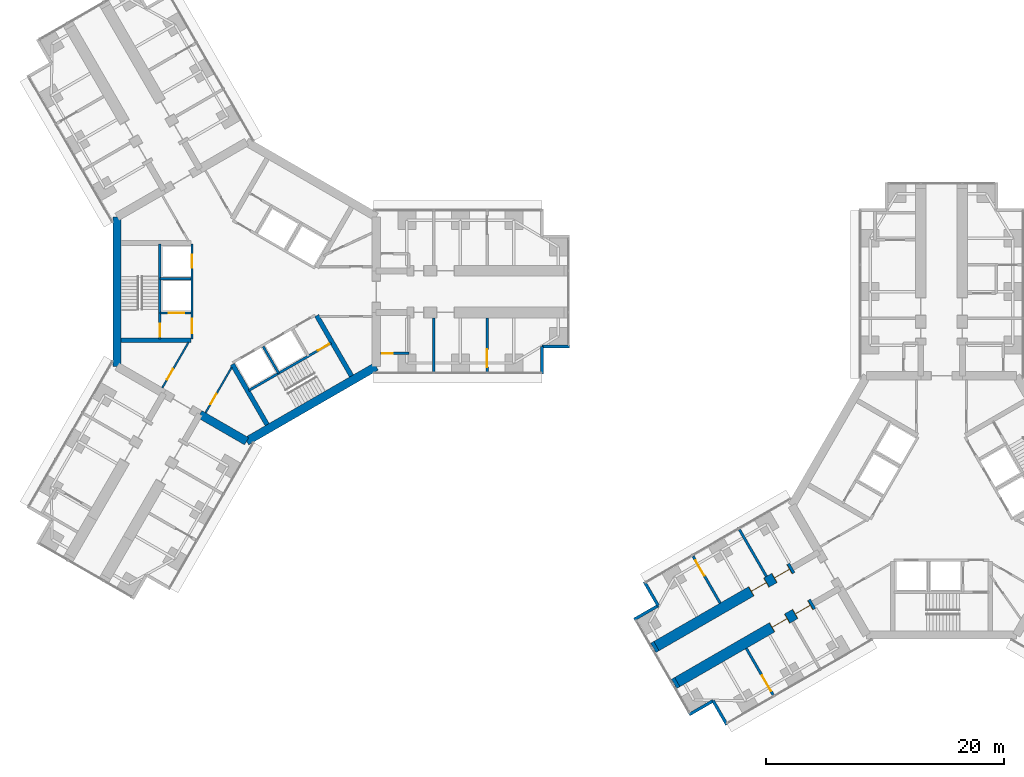
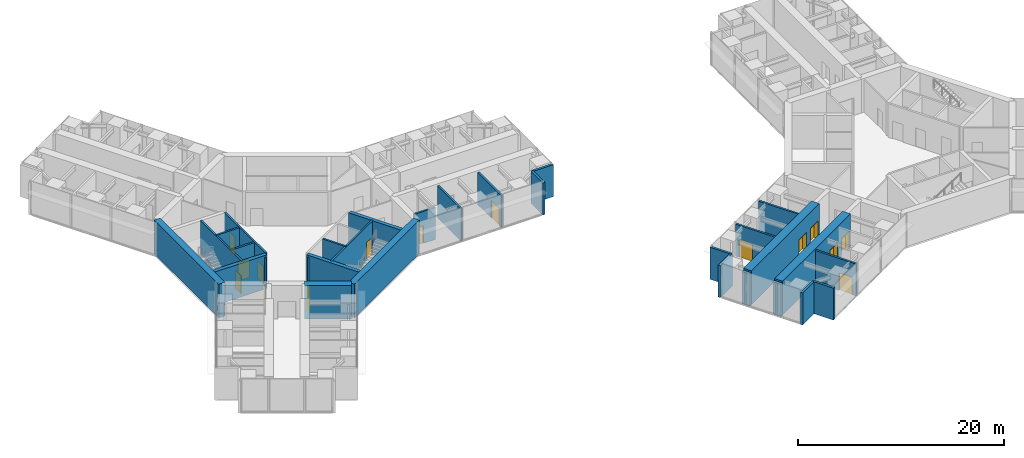
# One storey, part 16 of 22: 30 walls, 15 doors, 15 openings.
"""IFC4 building model written with IfcOpenShell, lengths in metres."""

import ifcopenshell
import ifcopenshell.guid

model = None  # the IFC model being written
_history = None  # IfcOwnerHistory: only IFC2X3 demands one
_inside = {}  # id of a spatial element -> (the spatial element, [elements in it])
_under = {}  # id of a project, library or spatial element -> (it, [spatial elements below it])
_declared = {}  # id of a project -> (the project, [libraries it declares])
_typed = {}  # id of a type object -> (the type object, [elements of that type])
_made_of = {}  # id of a material, layer set ... -> (it, [elements and type objects made of it])


def new_model(schema):
    """Start an empty IFC model of exactly this schema.

    Asked for "IFC4X3", IfcOpenShell would pick the latest addendum, in which some entities
    have other attributes; the version numbers below select the first issue.
    IFC2X3 requires an IfcOwnerHistory on every rooted entity: one is made here for all.
    """
    global model, _history
    if schema == "IFC4X3":
        model = ifcopenshell.file(schema_version=(4, 3, 0, 0))
    else:
        model = ifcopenshell.file(schema=schema)
    _inside.clear()
    _under.clear()
    _declared.clear()
    _typed.clear()
    _made_of.clear()
    _history = None
    if model.schema == "IFC2X3":
        org = make("IfcOrganization", Name="unknown")
        user = make(
            "IfcPersonAndOrganization",
            ThePerson=make("IfcPerson", FamilyName="unknown"),
            TheOrganization=org,
        )
        app = make(
            "IfcApplication",
            ApplicationDeveloper=org,
            Version="unknown",
            ApplicationFullName="unknown",
            ApplicationIdentifier="unknown",
        )
        _history = make(
            "IfcOwnerHistory",
            OwningUser=user,
            OwningApplication=app,
            ChangeAction="ADDED",
            CreationDate=0,
        )
    return model


def make(cls, **values):
    """One entity of the class cls with the attributes given. An attribute that is None is left unset."""
    return model.create_entity(
        cls, **{name: value for name, value in values.items() if value is not None}
    )


def rooted(cls, **values):
    """An entity with a GlobalId (a new one), such as an element, a storey or a relation."""
    return make(cls, GlobalId=ifcopenshell.guid.new(), OwnerHistory=_history, **values)


def si_unit(unit_type, name, prefix=None):
    """IfcSIUnit, for example si_unit("LENGTHUNIT", "METRE", prefix="MILLI")."""
    return make("IfcSIUnit", UnitType=unit_type, Prefix=prefix, Name=name)


def assignment(units):
    """IfcUnitAssignment: the units of a project."""
    return None if units is None else make("IfcUnitAssignment", Units=units)


def point(xyz):
    """IfcCartesianPoint."""
    return None if xyz is None else make("IfcCartesianPoint", Coordinates=xyz)


def direction(xyz):
    """IfcDirection."""
    return None if xyz is None else make("IfcDirection", DirectionRatios=xyz)


def frame(location, z_axis=None, x_axis=None):
    """IfcAxis2Placement3D, a coordinate frame: its origin and axes. An axis left out is left unset."""
    return make(
        "IfcAxis2Placement3D",
        Location=point(location),
        Axis=direction(z_axis),
        RefDirection=direction(x_axis),
    )


def frame_2d(location, x_axis=None):
    """IfcAxis2Placement2D, a coordinate frame in the plane: its origin and x axis."""
    return make(
        "IfcAxis2Placement2D", Location=point(location), RefDirection=direction(x_axis)
    )


def origin():
    """The frame at (0, 0, 0) with its axes left unset."""
    return frame((0.0, 0.0, 0.0))


def place(relative_to, where):
    """IfcLocalPlacement: puts the frame where relative to a parent placement (None: the world)."""
    return make(
        "IfcLocalPlacement", PlacementRelTo=relative_to, RelativePlacement=where
    )


def context(
    kind, dimensions, precision=None, world=None, true_north=None, identifier=None
):
    """IfcGeometricRepresentationContext, for example the 3D "Model" context."""
    return make(
        "IfcGeometricRepresentationContext",
        ContextIdentifier=identifier,
        ContextType=kind,
        CoordinateSpaceDimension=dimensions,
        Precision=precision,
        WorldCoordinateSystem=world,
        TrueNorth=true_north,
    )


def subcontext(parent, identifier, kind, view, scale=None):
    """IfcGeometricRepresentationSubContext, for example "Body" below "Model"."""
    return make(
        "IfcGeometricRepresentationSubContext",
        ContextIdentifier=identifier,
        ContextType=kind,
        ParentContext=parent,
        TargetScale=scale,
        TargetView=view,
    )


def project(units=None, contexts=None):
    """IfcProject with its units and contexts."""
    return rooted(
        "IfcProject",
        Name="project",
        RepresentationContexts=contexts,
        UnitsInContext=assignment(units),
    )


def spatial(cls, under=None, at=None, **own):
    """A site, building, storey or space (cls), placed at a placement, below another one or the project."""
    s = rooted(cls, ObjectPlacement=at, **own)
    if under is not None:
        _under.setdefault(under.id(), (under, []))[1].append(s)
    return s


def profile(cls, at=None, kind="AREA", **sizes):
    """A parametric profile (cls). Its sizes go by their IFC names, for example OverallWidth=200.0."""
    return make(cls, ProfileType=kind, Position=at, **sizes)


def rectangle(**sizes):
    """IfcRectangleProfileDef."""
    return profile("IfcRectangleProfileDef", **sizes)


def extrude(swept, where, along, depth):
    """IfcExtrudedAreaSolid: the profile swept, set in the frame where, extruded along a direction by depth."""
    return make(
        "IfcExtrudedAreaSolid",
        SweptArea=swept,
        Position=where,
        ExtrudedDirection=direction(along),
        Depth=depth,
    )


def shape(context_of_items, identifier, shape_type, items):
    """IfcShapeRepresentation: the items that make up one representation, for example the "Body"."""
    return make(
        "IfcShapeRepresentation",
        ContextOfItems=context_of_items,
        RepresentationIdentifier=identifier,
        RepresentationType=shape_type,
        Items=items,
    )


def material(Name=None, Category=None):
    """IfcMaterial."""
    return make("IfcMaterial", Name=Name, Category=Category)


def layer(
    of_material, thickness, ventilated=None, Name=None, Category=None, Priority=None
):
    """IfcMaterialLayer: one layer of a wall or slab, of a material (None: an air gap)."""
    return make(
        "IfcMaterialLayer",
        Material=of_material,
        LayerThickness=thickness,
        IsVentilated=ventilated,
        Name=Name,
        Category=Category,
        Priority=Priority,
    )


def layer_set(layers, Name=None):
    """IfcMaterialLayerSet."""
    return make("IfcMaterialLayerSet", MaterialLayers=layers, LayerSetName=Name)


def made_of(thing, what):
    """Note that an element or type object is made of a material, layer set ...; save() writes the relation."""
    if what is not None:
        _made_of.setdefault(what.id(), (what, []))[1].append(thing)
    return thing


def type_object(cls, material=None, **own):
    """A type object (cls), such as IfcWallType, which elements share."""
    return made_of(rooted(cls, **own), material)


def element(
    cls,
    number,
    at=None,
    inside=None,
    cuts=None,
    type_object=None,
    material=None,
    context=None,
    identifier="Body",
    shape_type=None,
    held_by="IfcProductDefinitionShape",
    body=None,
    shapes=None,
    **own,
):
    """One element of the class cls, such as IfcWall. Its Tag is "e" and its number.

    at: its placement. inside: the storey or other place that contains it. cuts: it is an
    opening in that element (IfcRelVoidsElement). A single representation is given by context,
    identifier, shape_type and body (its items); several are given by shapes. held_by: the class
    of the entity that holds the representations. save() writes the other relations.
    """
    e = rooted(cls, Tag="e%d" % number, ObjectPlacement=at, **own)
    if body is not None:
        shapes = [shape(context, identifier, shape_type, body)]
    if shapes is not None:
        e.Representation = make(held_by, Representations=shapes)
    if inside is not None:
        _inside.setdefault(inside.id(), (inside, []))[1].append(e)
    if cuts is not None:
        rooted(
            "IfcRelVoidsElement", RelatingBuildingElement=cuts, RelatedOpeningElement=e
        )
    if type_object is not None:
        _typed.setdefault(type_object.id(), (type_object, []))[1].append(e)
    return made_of(e, material)


def fill(opening, filler):
    """IfcRelFillsElement: the door or window that sits in an opening."""
    return rooted(
        "IfcRelFillsElement",
        RelatingOpeningElement=opening,
        RelatedBuildingElement=filler,
    )


def aggregate(whole, parts):
    """IfcRelAggregates: a whole, such as a stair, and the parts it consists of."""
    return rooted("IfcRelAggregates", RelatingObject=whole, RelatedObjects=parts)


def save(model, path):
    """Write the relations noted so far, then the file.

    IfcRelAggregates (storeys below a building ...), IfcRelContainedInSpatialStructure (elements
    in a storey), IfcRelDefinesByType, IfcRelAssociatesMaterial and IfcRelDeclares: one each for
    every whole, place, type object, material and project.
    """
    for whole, parts in _under.values():
        aggregate(whole, parts)
    for where, things in _inside.values():
        rooted(
            "IfcRelContainedInSpatialStructure",
            RelatedElements=things,
            RelatingStructure=where,
        )
    for kind, things in _typed.values():
        rooted("IfcRelDefinesByType", RelatedObjects=things, RelatingType=kind)
    for what, things in _made_of.values():
        rooted("IfcRelAssociatesMaterial", RelatedObjects=things, RelatingMaterial=what)
    for by, libraries in _declared.values():
        rooted("IfcRelDeclares", RelatingContext=by, RelatedDefinitions=libraries)
    model.write(path)


model = new_model("IFC4")

# Units and contexts
model_context = context("Model", 3, precision=1e-05, world=origin(), true_north=direction((0.0, 1.0)))
body_context = subcontext(model_context, "Body", "Model", "MODEL_VIEW")
ifc_project = project(units=[si_unit("LENGTHUNIT", "METRE"), si_unit("AREAUNIT", "SQUARE_METRE"), si_unit("VOLUMEUNIT", "CUBIC_METRE"), si_unit("PLANEANGLEUNIT", "RADIAN"), si_unit("MASSUNIT", "GRAM", prefix="KILO")], contexts=[model_context])

# Site, building, storey
site_placement = place(None, origin())
site = spatial("IfcSite", under=ifc_project, at=site_placement, CompositionType="ELEMENT")
building_placement = place(site_placement, origin())
building = spatial("IfcBuilding", under=site, at=building_placement, Name="Upepo Twin Towers", CompositionType="ELEMENT")
storey_placement = place(building_placement, frame((0.0, 0.0, 44.5)))
storey = spatial("IfcBuildingStorey", under=building, at=storey_placement, Name="L10", CompositionType="ELEMENT", Elevation=44.5)

# Wall
ifc_material_1 = material(Name="Concrete blockwork, plastered both faces", Category="masonry")
ifc_layer_1 = layer(ifc_material_1, 0.215087890625)
ifc_layer_set_1 = layer_set([ifc_layer_1], Name="Blockwork partition 215")
wall_type_1 = type_object("IfcWallType", Name="Blockwork partition 215", PredefinedType="PARTITIONING", material=ifc_layer_set_1)
wall_1_placement = place(storey_placement, frame((15.75, -2.199951171875, 0.0), z_axis=(0.0, 0.0, 1.0), x_axis=(0.0, -1.0, 0.0)))
element("IfcWall", 1, at=wall_1_placement, inside=storey, type_object=wall_type_1, Name="T1 partition AR at 15.75", PredefinedType="PARTITIONING", context=body_context, shape_type="SweptSolid", body=[
    extrude(rectangle(XDim=4.550048828125, YDim=0.215087890625, at=frame_2d((2.27490234375, 0.0))), origin(), (0.0, 0.0, 1.0), 3.800048828125),
])

# Wall, opening, door
wall_2_placement = place(storey_placement, frame((20.25, -2.199951171875, 0.0), z_axis=(0.0, 0.0, 1.0), x_axis=(0.0, -1.0, 0.0)))
wall_2 = element("IfcWall", 2, at=wall_2_placement, inside=storey, type_object=wall_type_1, Name="T1 partition AR at 20.25", PredefinedType="PARTITIONING", context=body_context, shape_type="SweptSolid", body=[
    extrude(rectangle(XDim=4.550048828125, YDim=0.215087890625, at=frame_2d((2.27490234375, 0.0))), origin(), (0.0, 0.0, 1.0), 3.800048828125),
])
opening_1_placement = place(wall_2_placement, frame((2.64990234375, 0.0, 0.0)))
opening_1 = element("IfcOpeningElement", 3, at=opening_1_placement, cuts=wall_2, Name="Opening D13", PredefinedType="OPENING", context=body_context, shape_type="SweptSolid", body=[
    extrude(rectangle(XDim=1.5, YDim=2.10009765625, at=frame_2d((0.75, 1.050048828125))), frame((0.0, 0.117431640625, 0.0), z_axis=(0.0, -1.0, 0.0), x_axis=(1.0, 0.0, 0.0)), (0.0, 0.0, 1.0), 0.235107421875),
])
ifc_material_2 = material(Name="Timber doorset", Category="wood")
door_type_1 = type_object("IfcDoorType", Name="Double door 1500 FD30", OperationType="DOUBLE_DOOR_SINGLE_SWING", PredefinedType="DOOR", material=ifc_material_2)
door_1_placement = place(opening_1_placement, origin())
door_1 = element("IfcDoor", 4, at=door_1_placement, inside=storey, type_object=door_type_1, Name="T1 L10 connecting door", OperationType="DOUBLE_DOOR_SINGLE_SWING", OverallHeight=2.10009765625, OverallWidth=1.5, PredefinedType="DOOR", context=body_context, shape_type="SweptSolid", body=[
    extrude(rectangle(XDim=1.5, YDim=2.10009765625, at=frame_2d((0.75, 1.050048828125))), frame((0.0, 0.02490234375, 0.0), z_axis=(0.0, -1.0, 0.0), x_axis=(1.0, 0.0, 0.0)), (0.0, 0.0, 1.0), 0.050048828125),
])
fill(opening_1, door_1)

wall_3_placement = place(storey_placement, frame((11.258056640625, -5.199951171875, 0.0), z_axis=(0.0, 0.0, 1.0), x_axis=(1.0, 0.0, 0.0)))
wall_3 = element("IfcWall", 5, at=wall_3_placement, inside=storey, type_object=wall_type_1, Name="T1 WC bay partition AR at 11.26", PredefinedType="PARTITIONING", context=body_context, shape_type="SweptSolid", body=[
    extrude(rectangle(XDim=2.39990234375, YDim=0.215087890625, at=frame_2d((1.199951171875, 0.0))), origin(), (0.0, 0.0, 1.0), 3.800048828125),
])
opening_2_placement = place(wall_3_placement, frame((0.14990234375, 0.0, 0.0)))
opening_2 = element("IfcOpeningElement", 6, at=opening_2_placement, cuts=wall_3, Name="Opening D14", PredefinedType="OPENING", context=body_context, shape_type="SweptSolid", body=[
    extrude(rectangle(XDim=0.89990234375, YDim=2.10009765625, at=frame_2d((0.449951171875, 1.050048828125))), frame((0.0, 0.117431640625, 0.0), z_axis=(0.0, -1.0, 0.0), x_axis=(1.0, 0.0, 0.0)), (0.0, 0.0, 1.0), 0.235107421875),
])
ifc_material_3 = material(Name="Timber doorset", Category="wood")
door_type_2 = type_object("IfcDoorType", Name="Office door 900 FD30", OperationType="SINGLE_SWING_LEFT", PredefinedType="DOOR", material=ifc_material_3)
door_2_placement = place(opening_2_placement, origin())
door_2 = element("IfcDoor", 7, at=door_2_placement, inside=storey, type_object=door_type_2, Name="T1 L10 WC bay inner room door", OperationType="SINGLE_SWING_LEFT", OverallHeight=2.10009765625, OverallWidth=0.89990234375, PredefinedType="DOOR", context=body_context, shape_type="SweptSolid", body=[
    extrude(rectangle(XDim=0.89990234375, YDim=2.10009765625, at=frame_2d((0.449951171875, 1.050048828125))), frame((0.0, 0.02490234375, 0.0), z_axis=(0.0, -1.0, 0.0), x_axis=(1.0, 0.0, 0.0)), (0.0, 0.0, 1.0), 0.050048828125),
])
fill(opening_2, door_2)

wall_4_placement = place(storey_placement, frame((42.06298828125, -30.0302734375, 0.0), z_axis=(0.0, 0.0, 1.0), x_axis=(0.499982560684, -0.866035472144, 0.0)))
wall_4 = element("IfcWall", 8, at=wall_4_placement, inside=storey, type_object=wall_type_1, Name="T2 partition BL at 20.25", PredefinedType="PARTITIONING", context=body_context, shape_type="SweptSolid", body=[
    extrude(rectangle(XDim=4.550048828125, YDim=0.215087890625, at=frame_2d((2.27490234375, 0.0))), origin(), (0.0, 0.0, 1.0), 3.800048828125),
])
opening_3_placement = place(wall_4_placement, frame((2.64990234375, 0.0, 0.0)))
opening_3 = element("IfcOpeningElement", 9, at=opening_3_placement, cuts=wall_4, Name="Opening D13", PredefinedType="OPENING", context=body_context, shape_type="SweptSolid", body=[
    extrude(rectangle(XDim=1.5, YDim=2.10009765625, at=frame_2d((0.75, 1.050048828125))), frame((0.0, 0.117431640625, 0.0), z_axis=(0.0, -1.0, 0.0), x_axis=(1.0, 0.0, 0.0)), (0.0, 0.0, 1.0), 0.235107421875),
])
door_3_placement = place(opening_3_placement, origin())
door_3 = element("IfcDoor", 10, at=door_3_placement, inside=storey, type_object=door_type_1, Name="T2 L10 connecting door", OperationType="DOUBLE_DOOR_SINGLE_SWING", OverallHeight=2.10009765625, OverallWidth=1.5, PredefinedType="DOOR", context=body_context, shape_type="SweptSolid", body=[
    extrude(rectangle(XDim=1.5, YDim=2.10009765625, at=frame_2d((0.75, 1.050048828125))), frame((0.0, 0.02490234375, 0.0), z_axis=(0.0, -1.0, 0.0), x_axis=(1.0, 0.0, 0.0)), (0.0, 0.0, 1.0), 0.050048828125),
])
fill(opening_3, door_3)

# Wall
wall_5_placement = place(storey_placement, frame((43.760009765625, -23.9697265625, 0.0), z_axis=(0.0, 0.0, 1.0), x_axis=(-0.499982560684, 0.866035472144, 0.0)))
element("IfcWall", 11, at=wall_5_placement, inside=storey, type_object=wall_type_1, Name="T2 partition BR at 15.75", PredefinedType="PARTITIONING", context=body_context, shape_type="SweptSolid", body=[
    extrude(rectangle(XDim=4.550048828125, YDim=0.215087890625, at=frame_2d((2.27490234375, 0.0))), origin(), (0.0, 0.0, 1.0), 3.800048828125),
])

# Wall, opening, door
wall_6_placement = place(storey_placement, frame((39.863037109375, -26.2197265625, 0.0), z_axis=(0.0, 0.0, 1.0), x_axis=(-0.500022803284, 0.866012237902, 0.0)))
wall_6 = element("IfcWall", 12, at=wall_6_placement, inside=storey, type_object=wall_type_1, Name="T2 partition BR at 20.25", PredefinedType="PARTITIONING", context=body_context, shape_type="SweptSolid", body=[
    extrude(rectangle(XDim=4.550048828125, YDim=0.215087890625, at=frame_2d((2.27490234375, 0.0))), origin(), (0.0, 0.0, 1.0), 3.800048828125),
])
opening_4_placement = place(wall_6_placement, frame((2.64990234375, 0.0, 0.0)))
opening_4 = element("IfcOpeningElement", 13, at=opening_4_placement, cuts=wall_6, Name="Opening D13", PredefinedType="OPENING", context=body_context, shape_type="SweptSolid", body=[
    extrude(rectangle(XDim=1.5, YDim=2.10009765625, at=frame_2d((0.75, 1.050048828125))), frame((0.0, 0.117431640625, 0.0), z_axis=(0.0, -1.0, 0.0), x_axis=(1.0, 0.0, 0.0)), (0.0, 0.0, 1.0), 0.235107421875),
])
door_4_placement = place(opening_4_placement, origin())
door_4 = element("IfcDoor", 14, at=door_4_placement, inside=storey, type_object=door_type_1, Name="T2 L10 connecting door", OperationType="DOUBLE_DOOR_SINGLE_SWING", OverallHeight=2.10009765625, OverallWidth=1.5, PredefinedType="DOOR", context=body_context, shape_type="SweptSolid", body=[
    extrude(rectangle(XDim=1.5, YDim=2.10009765625, at=frame_2d((0.75, 1.050048828125))), frame((0.0, 0.02490234375, 0.0), z_axis=(0.0, -1.0, 0.0), x_axis=(1.0, 0.0, 0.0)), (0.0, 0.0, 1.0), 0.050048828125),
])
fill(opening_4, door_4)

# Walls
ifc_material_4 = material(Name="Dense concrete blockwork", Category="masonry")
ifc_layer_2 = layer(ifc_material_4, 0.89990234375)
ifc_layer_set_2 = layer_set([ifc_layer_2], Name="Buttress closer 900, blockwork with fire-stopping to the curtain wall")
wall_type_2 = type_object("IfcWallType", Name="Buttress closer 900, blockwork with fire-stopping to the curtain wall", PredefinedType="PARTITIONING", material=ifc_layer_set_2)
for number, where, z_axis, x_axis, name in (
    (15, (36.252197265625, -32.865478515625, 0.0), (0.0, 0.0, 1.0), (-0.866054481515, -0.499949632511, 0.0), "T2 L10 wing B buttress closer L"),
    (16, (34.502197265625, -29.83447265625, 0.0), (0.0, 0.0, 1.0), (-0.866054481515, -0.499949632511, 0.0), "T2 L10 wing B buttress closer R"),
):
    element("IfcWall", number, at=place(storey_placement, frame(where, z_axis=z_axis, x_axis=x_axis)), inside=storey, type_object=wall_type_2, Name=name, PredefinedType="PARTITIONING", context=body_context, shape_type="SweptSolid", body=[
        extrude(rectangle(XDim=0.31005859375, YDim=0.89990234375, at=frame_2d((0.155029296875, 0.0))), origin(), (0.0, 0.0, 1.0), 3.800048828125),
    ])

# Wall, openings, doors
ifc_material_5 = material(Name="Concrete C60/75", Category="concrete")
ifc_layer_3 = layer(ifc_material_5, 0.89990234375)
ifc_layer_set_3 = layer_set([ifc_layer_3], Name="Concrete C60/75")
wall_type_3 = type_object("IfcWallType", Name="Buttress wall 900 RC", PredefinedType="SHEAR", material=ifc_layer_set_3)
wall_7_placement = place(storey_placement, frame((47.68359375, -26.265625, 0.0), z_axis=(0.0, 0.0, 1.0), x_axis=(-0.866027579429, -0.499996231654, 0.0)))
wall_7 = element("IfcWall", 17, at=wall_7_placement, inside=storey, type_object=wall_type_3, Name="T2 wing B buttress wall L part 2", PredefinedType="SHEAR", context=body_context, shape_type="SweptSolid", body=[
    extrude(rectangle(XDim=13.19970703125, YDim=0.89990234375, at=frame_2d((6.599853515625, 0.0))), origin(), (0.0, 0.0, 1.0), 4.0),
])
opening_5_placement = place(wall_7_placement, frame((0.25, 0.0, 0.0)))
opening_5 = element("IfcOpeningElement", 18, at=opening_5_placement, cuts=wall_7, Name="Opening D13", PredefinedType="OPENING", context=body_context, shape_type="SweptSolid", body=[
    extrude(rectangle(XDim=1.5, YDim=2.10009765625, at=frame_2d((0.75, 1.050048828125))), frame((0.0, 0.4599609375, 0.0), z_axis=(0.0, -1.0, 0.0), x_axis=(1.0, 0.0, 0.0)), (0.0, 0.0, 1.0), 0.919921875),
])
opening_6_placement = place(wall_7_placement, frame((2.5, 0.0, 0.0)))
opening_6 = element("IfcOpeningElement", 19, at=opening_6_placement, cuts=wall_7, Name="Opening D13", PredefinedType="OPENING", context=body_context, shape_type="SweptSolid", body=[
    extrude(rectangle(XDim=1.5, YDim=2.10009765625, at=frame_2d((0.75, 1.050048828125))), frame((0.0, 0.4599609375, 0.0), z_axis=(0.0, -1.0, 0.0), x_axis=(1.0, 0.0, 0.0)), (0.0, 0.0, 1.0), 0.919921875),
])
door_5_placement = place(opening_5_placement, origin())
door_5 = element("IfcDoor", 20, at=door_5_placement, inside=storey, type_object=door_type_1, Name="T2 L10 lecture room door", OperationType="DOUBLE_DOOR_SINGLE_SWING", OverallHeight=2.10009765625, OverallWidth=1.5, PredefinedType="DOOR", context=body_context, shape_type="SweptSolid", body=[
    extrude(rectangle(XDim=1.42, YDim=2.06009765625, at=frame_2d((0.75, 1.030029296875))), frame((0.0, 0.02490234375, 0.0), z_axis=(0.0, -1.0, 0.0), x_axis=(1.0, 0.0, 0.0)), (0.0, 0.0, 1.0), 0.050048828125),
    extrude(rectangle(XDim=0.04, YDim=2.10009765625, at=frame_2d((0.02001953125, 1.050048828125))), frame((0.0, 0.44970703125, 0.0), z_axis=(0.0, -1.0, 0.0), x_axis=(1.0, 0.0, 0.0)), (0.0, 0.0, 1.0), 0.8994140625),
    extrude(rectangle(XDim=0.04, YDim=2.10009765625, at=frame_2d((1.47998046875, 1.050048828125))), frame((0.0, 0.44970703125, 0.0), z_axis=(0.0, -1.0, 0.0), x_axis=(1.0, 0.0, 0.0)), (0.0, 0.0, 1.0), 0.8994140625),
    extrude(rectangle(XDim=1.42, YDim=0.04, at=frame_2d((0.75, 2.080078125))), frame((0.0, 0.44970703125, 0.0), z_axis=(0.0, -1.0, 0.0), x_axis=(1.0, 0.0, 0.0)), (0.0, 0.0, 1.0), 0.8994140625),
])
fill(opening_5, door_5)
door_6_placement = place(opening_6_placement, origin())
door_6 = element("IfcDoor", 21, at=door_6_placement, inside=storey, type_object=door_type_1, Name="T2 L10 tutorial room door", OperationType="DOUBLE_DOOR_SINGLE_SWING", OverallHeight=2.10009765625, OverallWidth=1.5, PredefinedType="DOOR", context=body_context, shape_type="SweptSolid", body=[
    extrude(rectangle(XDim=1.42, YDim=2.06009765625, at=frame_2d((0.75, 1.030029296875))), frame((0.0, 0.02490234375, 0.0), z_axis=(0.0, -1.0, 0.0), x_axis=(1.0, 0.0, 0.0)), (0.0, 0.0, 1.0), 0.050048828125),
    extrude(rectangle(XDim=0.04, YDim=2.10009765625, at=frame_2d((0.02001953125, 1.050048828125))), frame((0.0, 0.44970703125, 0.0), z_axis=(0.0, -1.0, 0.0), x_axis=(1.0, 0.0, 0.0)), (0.0, 0.0, 1.0), 0.8994140625),
    extrude(rectangle(XDim=0.04, YDim=2.10009765625, at=frame_2d((1.47998046875, 1.050048828125))), frame((0.0, 0.44970703125, 0.0), z_axis=(0.0, -1.0, 0.0), x_axis=(1.0, 0.0, 0.0)), (0.0, 0.0, 1.0), 0.8994140625),
    extrude(rectangle(XDim=1.42, YDim=0.04, at=frame_2d((0.75, 2.080078125))), frame((0.0, 0.44970703125, 0.0), z_axis=(0.0, -1.0, 0.0), x_axis=(1.0, 0.0, 0.0)), (0.0, 0.0, 1.0), 0.8994140625),
])
fill(opening_6, door_6)

wall_8_placement = place(storey_placement, frame((45.93359375, -23.234375, 0.0), z_axis=(0.0, 0.0, 1.0), x_axis=(-0.866019570528, -0.500010103361, 0.0)))
wall_8 = element("IfcWall", 22, at=wall_8_placement, inside=storey, type_object=wall_type_3, Name="T2 wing B buttress wall R part 2", PredefinedType="SHEAR", context=body_context, shape_type="SweptSolid", body=[
    extrude(rectangle(XDim=13.199951171875, YDim=0.89990234375, at=frame_2d((6.60009765625, 0.0))), origin(), (0.0, 0.0, 1.0), 4.0),
])
opening_7_placement = place(wall_8_placement, frame((0.25, 0.0, 0.0)))
opening_7 = element("IfcOpeningElement", 23, at=opening_7_placement, cuts=wall_8, Name="Opening D13", PredefinedType="OPENING", context=body_context, shape_type="SweptSolid", body=[
    extrude(rectangle(XDim=1.5, YDim=2.10009765625, at=frame_2d((0.75, 1.050048828125))), frame((0.0, 0.4599609375, 0.0), z_axis=(0.0, -1.0, 0.0), x_axis=(1.0, 0.0, 0.0)), (0.0, 0.0, 1.0), 0.919921875),
])
opening_8_placement = place(wall_8_placement, frame((2.5, 0.0, 0.0)))
opening_8 = element("IfcOpeningElement", 24, at=opening_8_placement, cuts=wall_8, Name="Opening D13", PredefinedType="OPENING", context=body_context, shape_type="SweptSolid", body=[
    extrude(rectangle(XDim=1.5, YDim=2.10009765625, at=frame_2d((0.75, 1.050048828125))), frame((0.0, 0.4599609375, 0.0), z_axis=(0.0, -1.0, 0.0), x_axis=(1.0, 0.0, 0.0)), (0.0, 0.0, 1.0), 0.919921875),
])
door_7_placement = place(opening_7_placement, origin())
door_7 = element("IfcDoor", 25, at=door_7_placement, inside=storey, type_object=door_type_1, Name="T2 L10 seminar room door", OperationType="DOUBLE_DOOR_SINGLE_SWING", OverallHeight=2.10009765625, OverallWidth=1.5, PredefinedType="DOOR", context=body_context, shape_type="SweptSolid", body=[
    extrude(rectangle(XDim=1.42, YDim=2.06009765625, at=frame_2d((0.75, 1.030029296875))), frame((0.0, 0.02490234375, 0.0), z_axis=(0.0, -1.0, 0.0), x_axis=(1.0, 0.0, 0.0)), (0.0, 0.0, 1.0), 0.050048828125),
    extrude(rectangle(XDim=0.04, YDim=2.10009765625, at=frame_2d((0.02001953125, 1.050048828125))), frame((0.0, 0.44970703125, 0.0), z_axis=(0.0, -1.0, 0.0), x_axis=(1.0, 0.0, 0.0)), (0.0, 0.0, 1.0), 0.8994140625),
    extrude(rectangle(XDim=0.04, YDim=2.10009765625, at=frame_2d((1.47998046875, 1.050048828125))), frame((0.0, 0.44970703125, 0.0), z_axis=(0.0, -1.0, 0.0), x_axis=(1.0, 0.0, 0.0)), (0.0, 0.0, 1.0), 0.8994140625),
    extrude(rectangle(XDim=1.42, YDim=0.04, at=frame_2d((0.75, 2.080078125))), frame((0.0, 0.44970703125, 0.0), z_axis=(0.0, -1.0, 0.0), x_axis=(1.0, 0.0, 0.0)), (0.0, 0.0, 1.0), 0.8994140625),
])
fill(opening_7, door_7)
door_8_placement = place(opening_8_placement, origin())
door_8 = element("IfcDoor", 26, at=door_8_placement, inside=storey, type_object=door_type_1, Name="T2 L10 lecture room door", OperationType="DOUBLE_DOOR_SINGLE_SWING", OverallHeight=2.10009765625, OverallWidth=1.5, PredefinedType="DOOR", context=body_context, shape_type="SweptSolid", body=[
    extrude(rectangle(XDim=1.42, YDim=2.06009765625, at=frame_2d((0.75, 1.030029296875))), frame((0.0, 0.02490234375, 0.0), z_axis=(0.0, -1.0, 0.0), x_axis=(1.0, 0.0, 0.0)), (0.0, 0.0, 1.0), 0.050048828125),
    extrude(rectangle(XDim=0.04, YDim=2.10009765625, at=frame_2d((0.02001953125, 1.050048828125))), frame((0.0, 0.44970703125, 0.0), z_axis=(0.0, -1.0, 0.0), x_axis=(1.0, 0.0, 0.0)), (0.0, 0.0, 1.0), 0.8994140625),
    extrude(rectangle(XDim=0.04, YDim=2.10009765625, at=frame_2d((1.47998046875, 1.050048828125))), frame((0.0, 0.44970703125, 0.0), z_axis=(0.0, -1.0, 0.0), x_axis=(1.0, 0.0, 0.0)), (0.0, 0.0, 1.0), 0.8994140625),
    extrude(rectangle(XDim=1.42, YDim=0.04, at=frame_2d((0.75, 2.080078125))), frame((0.0, 0.44970703125, 0.0), z_axis=(0.0, -1.0, 0.0), x_axis=(1.0, 0.0, 0.0)), (0.0, 0.0, 1.0), 0.8994140625),
])
fill(opening_8, door_8)

# Walls
ifc_material_6 = material(Name="Concrete C60/75", Category="concrete")
ifc_layer_4 = layer(ifc_material_6, 0.699951171875)
ifc_layer_set_4 = layer_set([ifc_layer_4], Name="Concrete C60/75")
wall_type_4 = type_object("IfcWallType", Name="Core wall 700 RC", PredefinedType="SHEAR", material=ifc_layer_set_4)
wall_9_placement = place(storey_placement, frame((-10.908447265625, 6.2978515625, 0.0), z_axis=(0.0, 0.0, 1.0), x_axis=(0.0, -1.0, 0.0)))
element("IfcWall", 27, at=wall_9_placement, inside=storey, type_object=wall_type_4, Name="T1 core wall 180", PredefinedType="SHEAR", context=body_context, shape_type="SweptSolid", body=[
    extrude(rectangle(XDim=12.595703125, YDim=0.699951171875, at=frame_2d((6.2978515625, 0.0))), origin(), (0.0, 0.0, 1.0), 4.0),
])
wall_10_placement = place(storey_placement, frame((-3.938720703125, -10.32177734375, 0.0), z_axis=(0.0, 0.0, 1.0), x_axis=(0.866011268655, -0.500024481964, 0.0)))
element("IfcWall", 28, at=wall_10_placement, inside=storey, type_object=wall_type_4, Name="T1 core wall 240 L", PredefinedType="SHEAR", context=body_context, shape_type="SweptSolid", body=[
    extrude(rectangle(XDim=4.548095703125, YDim=0.699951171875, at=frame_2d((2.27392578125, 0.0))), origin(), (0.0, 0.0, 1.0), 4.0),
])
wall_11_placement = place(storey_placement, frame((0.0, -12.595947265625, 0.0), z_axis=(0.0, 0.0, 1.0), x_axis=(0.866021940709, 0.500005998175, 0.0)))
element("IfcWall", 29, at=wall_11_placement, inside=storey, type_object=wall_type_4, Name="T1 core wall 300", PredefinedType="SHEAR", context=body_context, shape_type="SweptSolid", body=[
    extrude(rectangle(XDim=12.595947265625, YDim=0.699951171875, at=frame_2d((6.2978515625, 0.0))), origin(), (0.0, 0.0, 1.0), 4.0),
])
ifc_material_7 = material(Name="Blockwork with anodised aluminium cladding", Category="masonry")
ifc_layer_5 = layer(ifc_material_7, 0.25)
ifc_layer_set_5 = layer_set([ifc_layer_5], Name="Notch cladding wall 250, pale metal")
wall_type_5 = type_object("IfcWallType", Name="Notch cladding wall 250, pale metal", PredefinedType="STANDARD", material=ifc_layer_set_5)
for number, where, z_axis, x_axis, name in (
    (30, (24.875, -6.949951171875, 0.0), (0.0, 0.0, 1.0), (0.0, 1.0, 0.0), "T1 L10 wing A notch wall R1"),
    (31, (24.875, -4.625, 0.0), (0.0, 0.0, 1.0), (1.0, 0.0, 0.0), "T1 L10 wing A notch wall R2"),
    (32, (40.4326171875, -36.456298828125, 0.0), (0.0, 0.0, 1.0), (-0.500046648681, 0.865998469481, 0.0), "T2 L10 wing B notch wall L1"),
    (33, (39.27001953125, -34.44287109375, 0.0), (0.0, 0.0, 1.0), (-0.865998469481, -0.500046648681, 0.0), "T2 L10 wing B notch wall L2"),
    (34, (33.482666015625, -24.418701171875, 0.0), (0.0, 0.0, 1.0), (0.499967891604, -0.866043940782, 0.0), "T2 L10 wing B notch wall R1"),
    (35, (34.64501953125, -26.43212890625, 0.0), (0.0, 0.0, 1.0), (-0.865998469481, -0.500046648681, 0.0), "T2 L10 wing B notch wall R2"),
):
    element("IfcWall", number, at=place(storey_placement, frame(where, z_axis=z_axis, x_axis=x_axis)), inside=storey, type_object=wall_type_5, Name=name, PredefinedType="STANDARD", context=body_context, shape_type="SweptSolid", body=[
        extrude(rectangle(XDim=2.324951171875, YDim=0.25, at=frame_2d((1.16259765625, 0.0))), origin(), (0.0, 0.0, 1.0), 3.800048828125),
    ])

# Wall, openings, doors
ifc_material_8 = material(Name="Concrete C40/50", Category="concrete")
ifc_layer_6 = layer(ifc_material_8, 0.199951171875)
ifc_layer_set_6 = layer_set([ifc_layer_6], Name="Concrete C40/50")
wall_type_6 = type_object("IfcWallType", Name="Shaft wall 200 RC", PredefinedType="SHEAR", material=ifc_layer_set_6)
wall_12_placement = place(storey_placement, frame((-4.60009765625, 4.0, 0.0), z_axis=(0.0, 0.0, 1.0), x_axis=(0.0, -1.0, 0.0)))
wall_12 = element("IfcWall", 36, at=wall_12_placement, inside=storey, type_object=wall_type_6, Name="T1 core W180 front wall", PredefinedType="SHEAR", context=body_context, shape_type="SweptSolid", body=[
    extrude(rectangle(XDim=8.0, YDim=0.199951171875, at=frame_2d((4.0, 0.0))), origin(), (0.0, 0.0, 1.0), 4.0),
])
opening_9_placement = place(wall_12_placement, frame((6.300048828125, 0.0, 0.0)))
opening_9 = element("IfcOpeningElement", 37, at=opening_9_placement, cuts=wall_12, Name="Opening D4", PredefinedType="OPENING", context=body_context, shape_type="SweptSolid", body=[
    extrude(rectangle(XDim=1.199951171875, YDim=2.10009765625, at=frame_2d((0.60009765625, 1.050048828125))), frame((0.0, 0.10986328125, 0.0), z_axis=(0.0, -1.0, 0.0), x_axis=(1.0, 0.0, 0.0)), (0.0, 0.0, 1.0), 0.219970703125),
])
opening_10_placement = place(wall_12_placement, frame((0.89990234375, 0.0, 0.0)))
opening_10 = element("IfcOpeningElement", 38, at=opening_10_placement, cuts=wall_12, Name="Opening LD1", PredefinedType="OPENING", context=body_context, shape_type="SweptSolid", body=[
    extrude(rectangle(XDim=1.10009765625, YDim=2.199951171875, at=frame_2d((0.550048828125, 1.10009765625))), frame((0.0, 0.10986328125, 0.0), z_axis=(0.0, -1.0, 0.0), x_axis=(1.0, 0.0, 0.0)), (0.0, 0.0, 1.0), 0.219970703125),
])
ifc_material_9 = material(Name="Steel doorset", Category="steel")
door_type_3 = type_object("IfcDoorType", Name="Lift landing door 1100", OperationType="DOUBLE_DOOR_SLIDING", PredefinedType="DOOR", material=ifc_material_9)
door_9_placement = place(opening_10_placement, origin())
door_9 = element("IfcDoor", 39, at=door_9_placement, inside=storey, type_object=door_type_3, Name="T1 L10 lift SV1 landing door", OperationType="DOUBLE_DOOR_SLIDING", OverallHeight=2.199951171875, OverallWidth=1.10009765625, PredefinedType="DOOR", context=body_context, shape_type="SweptSolid", body=[
    extrude(rectangle(XDim=1.10009765625, YDim=2.199951171875, at=frame_2d((0.550048828125, 1.10009765625))), frame((0.0, 0.02490234375, 0.0), z_axis=(0.0, -1.0, 0.0), x_axis=(1.0, 0.0, 0.0)), (0.0, 0.0, 1.0), 0.050048828125),
])
fill(opening_10, door_9)
ifc_material_10 = material(Name="Timber doorset", Category="wood")
door_type_4 = type_object("IfcDoorType", Name="Lobby door 1200 FD60", OperationType="SINGLE_SWING_LEFT", PredefinedType="DOOR", material=ifc_material_10)
door_10_placement = place(opening_9_placement, origin())
door_10 = element("IfcDoor", 40, at=door_10_placement, inside=storey, type_object=door_type_4, Name="T1 L10 W180 lobby door", OperationType="SINGLE_SWING_RIGHT", OverallHeight=2.10009765625, OverallWidth=1.199951171875, PredefinedType="DOOR", context=body_context, shape_type="SweptSolid", body=[
    extrude(rectangle(XDim=1.199951171875, YDim=2.10009765625, at=frame_2d((0.60009765625, 1.050048828125))), frame((0.0, 0.02490234375, 0.0), z_axis=(0.0, -1.0, 0.0), x_axis=(1.0, 0.0, 0.0)), (0.0, 0.0, 1.0), 0.050048828125),
])
fill(opening_9, door_10)

# Wall
wall_13_placement = place(storey_placement, frame((-4.699951171875, 1.10009765625, 0.0), z_axis=(0.0, 0.0, 1.0), x_axis=(-1.0, 0.0, 0.0)))
element("IfcWall", 41, at=wall_13_placement, inside=storey, type_object=wall_type_6, Name="T1 core W180 shaft divider", PredefinedType="SHEAR", context=body_context, shape_type="SweptSolid", body=[
    extrude(rectangle(XDim=2.60009765625, YDim=0.199951171875, at=frame_2d((1.300048828125, 0.0))), origin(), (0.0, 0.0, 1.0), 4.0),
])

# Wall, opening, door
wall_14_placement = place(storey_placement, frame((-4.699951171875, -1.800048828125, 0.0), z_axis=(0.0, 0.0, 1.0), x_axis=(-1.0, 0.0, 0.0)))
wall_14 = element("IfcWall", 42, at=wall_14_placement, inside=storey, type_object=wall_type_6, Name="T1 core W180 lobby wall", PredefinedType="SHEAR", context=body_context, shape_type="SweptSolid", body=[
    extrude(rectangle(XDim=2.60009765625, YDim=0.199951171875, at=frame_2d((1.300048828125, 0.0))), origin(), (0.0, 0.0, 1.0), 4.0),
])
opening_11_placement = place(wall_14_placement, frame((0.550048828125, 0.0, 0.0)))
opening_11 = element("IfcOpeningElement", 43, at=opening_11_placement, cuts=wall_14, Name="Opening LD2", PredefinedType="OPENING", context=body_context, shape_type="SweptSolid", body=[
    extrude(rectangle(XDim=1.300048828125, YDim=2.199951171875, at=frame_2d((0.64990234375, 1.10009765625))), frame((0.0, 0.10986328125, 0.0), z_axis=(0.0, -1.0, 0.0), x_axis=(1.0, 0.0, 0.0)), (0.0, 0.0, 1.0), 0.219970703125),
])
ifc_material_11 = material(Name="Steel doorset", Category="steel")
door_type_5 = type_object("IfcDoorType", Name="Firefighting lift landing door 1300", OperationType="DOUBLE_DOOR_SLIDING", PredefinedType="DOOR", material=ifc_material_11)
door_11_placement = place(opening_11_placement, origin())
door_11 = element("IfcDoor", 44, at=door_11_placement, inside=storey, type_object=door_type_5, Name="T1 L10 firefighting lift landing door", OperationType="DOUBLE_DOOR_SLIDING", OverallHeight=2.199951171875, OverallWidth=1.300048828125, PredefinedType="DOOR", context=body_context, shape_type="SweptSolid", body=[
    extrude(rectangle(XDim=1.300048828125, YDim=2.199951171875, at=frame_2d((0.64990234375, 1.10009765625))), frame((0.0, 0.02490234375, 0.0), z_axis=(0.0, -1.0, 0.0), x_axis=(1.0, 0.0, 0.0)), (0.0, 0.0, 1.0), 0.050048828125),
])
fill(opening_11, door_11)

wall_15_placement = place(storey_placement, frame((-7.300048828125, 4.0, 0.0), z_axis=(0.0, 0.0, 1.0), x_axis=(0.0, -1.0, 0.0)))
wall_15 = element("IfcWall", 45, at=wall_15_placement, inside=storey, type_object=wall_type_6, Name="T1 core W180 stair wall", PredefinedType="SHEAR", context=body_context, shape_type="SweptSolid", body=[
    extrude(rectangle(XDim=8.0, YDim=0.199951171875, at=frame_2d((4.0, 0.0))), origin(), (0.0, 0.0, 1.0), 4.0),
])
opening_12_placement = place(wall_15_placement, frame((6.699951171875, 0.0, 0.0)))
opening_12 = element("IfcOpeningElement", 46, at=opening_12_placement, cuts=wall_15, Name="Opening D3", PredefinedType="OPENING", context=body_context, shape_type="SweptSolid", body=[
    extrude(rectangle(XDim=1.10009765625, YDim=2.10009765625, at=frame_2d((0.550048828125, 1.050048828125))), frame((0.0, 0.10986328125, 0.0), z_axis=(0.0, -1.0, 0.0), x_axis=(1.0, 0.0, 0.0)), (0.0, 0.0, 1.0), 0.219970703125),
])
ifc_material_12 = material(Name="Timber doorset", Category="wood")
door_type_6 = type_object("IfcDoorType", Name="Stair door 1100 FD60", OperationType="SINGLE_SWING_LEFT", PredefinedType="DOOR", material=ifc_material_12)
door_12_placement = place(opening_12_placement, origin())
door_12 = element("IfcDoor", 47, at=door_12_placement, inside=storey, type_object=door_type_6, Name="T1 L10 stair door", OperationType="SINGLE_SWING_RIGHT", OverallHeight=2.10009765625, OverallWidth=1.10009765625, PredefinedType="DOOR", context=body_context, shape_type="SweptSolid", body=[
    extrude(rectangle(XDim=1.10009765625, YDim=2.10009765625, at=frame_2d((0.550048828125, 1.050048828125))), frame((0.0, 0.02490234375, 0.0), z_axis=(0.0, -1.0, 0.0), x_axis=(1.0, 0.0, 0.0)), (0.0, 0.0, 1.0), 0.050048828125),
])
fill(opening_12, door_12)

# Wall
wall_16_placement = place(storey_placement, frame((1.3974609375, -4.620361328125, 0.0), z_axis=(0.0, 0.0, 1.0), x_axis=(0.499936506574, -0.866062058628, 0.0)))
element("IfcWall", 48, at=wall_16_placement, inside=storey, type_object=wall_type_6, Name="T1 core W300 shaft divider", PredefinedType="SHEAR", context=body_context, shape_type="SweptSolid", body=[
    extrude(rectangle(XDim=2.599853515625, YDim=0.199951171875, at=frame_2d((1.2998046875, 0.0))), origin(), (0.0, 0.0, 1.0), 4.0),
])

# Wall, opening, door
wall_17_placement = place(storey_placement, frame((0.185791015625, -8.322021484375, 0.0), z_axis=(0.0, 0.0, 1.0), x_axis=(0.866026010844, 0.49999894854, 0.0)))
wall_17 = element("IfcWall", 49, at=wall_17_placement, inside=storey, type_object=wall_type_6, Name="T1 core W300 stair wall", PredefinedType="SHEAR", context=body_context, shape_type="SweptSolid", body=[
    extrude(rectangle(XDim=8.0, YDim=0.199951171875, at=frame_2d((4.0, 0.0))), origin(), (0.0, 0.0, 1.0), 4.0),
])
opening_13_placement = place(wall_17_placement, frame((6.699951171875, 0.0, 0.0)))
opening_13 = element("IfcOpeningElement", 50, at=opening_13_placement, cuts=wall_17, Name="Opening D3", PredefinedType="OPENING", context=body_context, shape_type="SweptSolid", body=[
    extrude(rectangle(XDim=1.10009765625, YDim=2.10009765625, at=frame_2d((0.550048828125, 1.050048828125))), frame((0.0, 0.10986328125, 0.0), z_axis=(0.0, -1.0, 0.0), x_axis=(1.0, 0.0, 0.0)), (0.0, 0.0, 1.0), 0.219970703125),
])
door_13_placement = place(opening_13_placement, origin())
door_13 = element("IfcDoor", 51, at=door_13_placement, inside=storey, type_object=door_type_6, Name="T1 L10 stair door", OperationType="SINGLE_SWING_RIGHT", OverallHeight=2.10009765625, OverallWidth=1.10009765625, PredefinedType="DOOR", context=body_context, shape_type="SweptSolid", body=[
    extrude(rectangle(XDim=1.10009765625, YDim=2.10009765625, at=frame_2d((0.550048828125, 1.050048828125))), frame((0.0, 0.02490234375, 0.0), z_axis=(0.0, -1.0, 0.0), x_axis=(1.0, 0.0, 0.0)), (0.0, 0.0, 1.0), 0.050048828125),
])
fill(opening_13, door_13)

# Walls
ifc_material_13 = material(Name="Concrete C40/50", Category="concrete")
ifc_layer_7 = layer(ifc_material_13, 0.39990234375)
ifc_layer_set_7 = layer_set([ifc_layer_7], Name="Concrete C40/50")
wall_type_7 = type_object("IfcWallType", Name="Shaft wall 400 RC", PredefinedType="SHEAR", material=ifc_layer_set_7)
for number, where, z_axis, x_axis, name in (
    (52, (-4.699951171875, -4.10009765625, 0.0), (0.0, 0.0, 1.0), (-1.0, 0.0, 0.0), "T1 core W180 side wall N"),
    (53, (5.900634765625, -2.020263671875, 0.0), (0.0, 0.0, 1.0), (0.500002627198, -0.866023886965, 0.0), "T1 core W300 side wall N"),
    (54, (-1.20068359375, -6.120361328125, 0.0), (0.0, 0.0, 1.0), (0.500002627198, -0.866023886965, 0.0), "T1 core W300 side wall S"),
):
    element("IfcWall", number, at=place(storey_placement, frame(where, z_axis=z_axis, x_axis=x_axis)), inside=storey, type_object=wall_type_7, Name=name, PredefinedType="SHEAR", context=body_context, shape_type="SweptSolid", body=[
        extrude(rectangle(XDim=5.8583984375, YDim=0.39990234375, at=frame_2d((2.92919921875, 0.0))), origin(), (0.0, 0.0, 1.0), 4.0),
    ])

# Wall, opening, door
ifc_material_14 = material(Name="Gypsum board on steel studs", Category="steel")
ifc_layer_8 = layer(ifc_material_14, 0.14990234375)
ifc_layer_set_8 = layer_set([ifc_layer_8], Name="Teaching partition 150 acoustic")
wall_type_8 = type_object("IfcWallType", Name="Teaching partition 150 acoustic", PredefinedType="PARTITIONING", material=ifc_layer_set_8)
wall_18_placement = place(storey_placement, frame((-1.252685546875, -6.36962890625, 0.0), z_axis=(0.0, 0.0, 1.0), x_axis=(-0.500007369519, -0.866021148949, 0.0)))
wall_18 = element("IfcWall", 55, at=wall_18_placement, inside=storey, type_object=wall_type_8, Name="T1 core room partition 1", PredefinedType="PARTITIONING", context=body_context, shape_type="SweptSolid", body=[
    extrude(rectangle(XDim=4.42578125, YDim=0.14990234375, at=frame_2d((2.212890625, 0.0))), origin(), (0.0, 0.0, 1.0), 3.800048828125),
])
opening_14_placement = place(wall_18_placement, frame((2.597900390625, 0.0, 0.0)))
opening_14 = element("IfcOpeningElement", 56, at=opening_14_placement, cuts=wall_18, Name="Opening D1", PredefinedType="OPENING", context=body_context, shape_type="SweptSolid", body=[
    extrude(rectangle(XDim=1.0, YDim=2.10009765625, at=frame_2d((0.5, 1.050048828125))), frame((0.0, 0.0849609375, 0.0), z_axis=(0.0, -1.0, 0.0), x_axis=(1.0, 0.0, 0.0)), (0.0, 0.0, 1.0), 0.169921875),
])
ifc_material_15 = material(Name="Timber doorset", Category="wood")
door_type_7 = type_object("IfcDoorType", Name="Room door 1000 FD30", OperationType="SINGLE_SWING_LEFT", PredefinedType="DOOR", material=ifc_material_15)
door_14_placement = place(opening_14_placement, origin())
door_14 = element("IfcDoor", 57, at=door_14_placement, inside=storey, type_object=door_type_7, Name="T1 L10 core room door K2", OperationType="SINGLE_SWING_RIGHT", OverallHeight=2.10009765625, OverallWidth=1.0, PredefinedType="DOOR", context=body_context, shape_type="SweptSolid", body=[
    extrude(rectangle(XDim=1.0, YDim=2.10009765625, at=frame_2d((0.5, 1.050048828125))), frame((0.0, 0.02490234375, 0.0), z_axis=(0.0, -1.0, 0.0), x_axis=(1.0, 0.0, 0.0)), (0.0, 0.0, 1.0), 0.050048828125),
])
fill(opening_14, door_14)

wall_19_placement = place(storey_placement, frame((-7.102783203125, -8.1025390625, 0.0), z_axis=(0.0, 0.0, 1.0), x_axis=(0.500007369519, 0.866021148949, 0.0)))
wall_19 = element("IfcWall", 58, at=wall_19_placement, inside=storey, type_object=wall_type_8, Name="T1 core room partition 2", PredefinedType="PARTITIONING", context=body_context, shape_type="SweptSolid", body=[
    extrude(rectangle(XDim=4.42578125, YDim=0.14990234375, at=frame_2d((2.212890625, 0.0))), origin(), (0.0, 0.0, 1.0), 3.800048828125),
])
opening_15_placement = place(wall_19_placement, frame((0.82763671875, 0.0, 0.0)))
opening_15 = element("IfcOpeningElement", 59, at=opening_15_placement, cuts=wall_19, Name="Opening D1", PredefinedType="OPENING", context=body_context, shape_type="SweptSolid", body=[
    extrude(rectangle(XDim=1.0, YDim=2.10009765625, at=frame_2d((0.5, 1.050048828125))), frame((0.0, 0.0849609375, 0.0), z_axis=(0.0, -1.0, 0.0), x_axis=(1.0, 0.0, 0.0)), (0.0, 0.0, 1.0), 0.169921875),
])
door_15_placement = place(opening_15_placement, origin())
door_15 = element("IfcDoor", 60, at=door_15_placement, inside=storey, type_object=door_type_7, Name="T1 L10 core room door K1", OperationType="SINGLE_SWING_LEFT", OverallHeight=2.10009765625, OverallWidth=1.0, PredefinedType="DOOR", context=body_context, shape_type="SweptSolid", body=[
    extrude(rectangle(XDim=1.0, YDim=2.10009765625, at=frame_2d((0.5, 1.050048828125))), frame((0.0, 0.02490234375, 0.0), z_axis=(0.0, -1.0, 0.0), x_axis=(1.0, 0.0, 0.0)), (0.0, 0.0, 1.0), 0.050048828125),
])
fill(opening_15, door_15)

save(model, "model.ifc")
